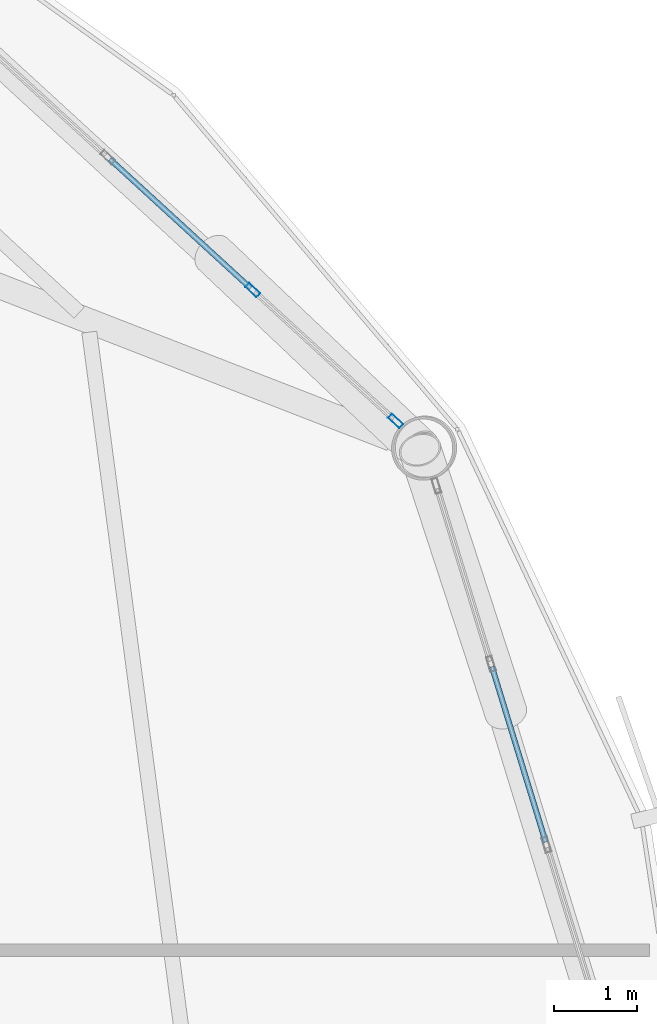
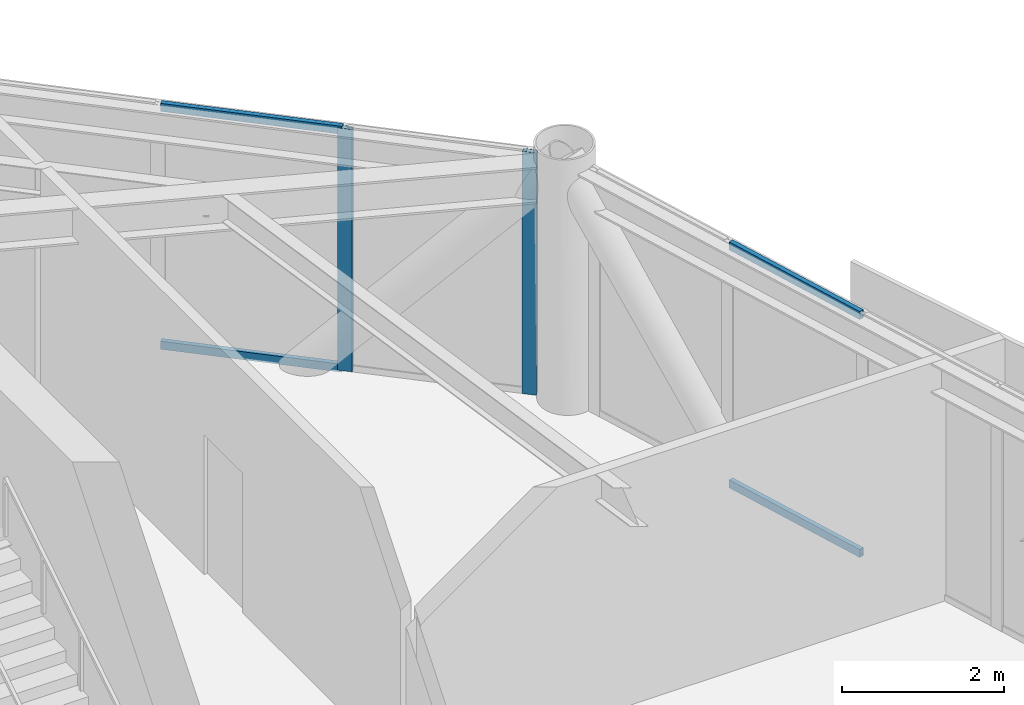
# One storey, part 16 of 27: 6 members, 2 elements without a shape of their own.
"""IFC4 building model written with IfcOpenShell, lengths in metres."""

import ifcopenshell
import ifcopenshell.guid

model = None  # the IFC model being written
_history = None  # IfcOwnerHistory: only IFC2X3 demands one
_inside = {}  # id of a spatial element -> (the spatial element, [elements in it])
_under = {}  # id of a project, library or spatial element -> (it, [spatial elements below it])
_declared = {}  # id of a project -> (the project, [libraries it declares])
_typed = {}  # id of a type object -> (the type object, [elements of that type])
_made_of = {}  # id of a material, layer set ... -> (it, [elements and type objects made of it])


def new_model(schema):
    """Start an empty IFC model of exactly this schema.

    Asked for "IFC4X3", IfcOpenShell would pick the latest addendum, in which some entities
    have other attributes; the version numbers below select the first issue.
    IFC2X3 requires an IfcOwnerHistory on every rooted entity: one is made here for all.
    """
    global model, _history
    if schema == "IFC4X3":
        model = ifcopenshell.file(schema_version=(4, 3, 0, 0))
    else:
        model = ifcopenshell.file(schema=schema)
    _inside.clear()
    _under.clear()
    _declared.clear()
    _typed.clear()
    _made_of.clear()
    _history = None
    if model.schema == "IFC2X3":
        org = make("IfcOrganization", Name="unknown")
        user = make(
            "IfcPersonAndOrganization",
            ThePerson=make("IfcPerson", FamilyName="unknown"),
            TheOrganization=org,
        )
        app = make(
            "IfcApplication",
            ApplicationDeveloper=org,
            Version="unknown",
            ApplicationFullName="unknown",
            ApplicationIdentifier="unknown",
        )
        _history = make(
            "IfcOwnerHistory",
            OwningUser=user,
            OwningApplication=app,
            ChangeAction="ADDED",
            CreationDate=0,
        )
    return model


def make(cls, **values):
    """One entity of the class cls with the attributes given. An attribute that is None is left unset."""
    return model.create_entity(
        cls, **{name: value for name, value in values.items() if value is not None}
    )


def rooted(cls, **values):
    """An entity with a GlobalId (a new one), such as an element, a storey or a relation."""
    return make(cls, GlobalId=ifcopenshell.guid.new(), OwnerHistory=_history, **values)


def si_unit(unit_type, name, prefix=None):
    """IfcSIUnit, for example si_unit("LENGTHUNIT", "METRE", prefix="MILLI")."""
    return make("IfcSIUnit", UnitType=unit_type, Prefix=prefix, Name=name)


def assignment(units):
    """IfcUnitAssignment: the units of a project."""
    return None if units is None else make("IfcUnitAssignment", Units=units)


def point(xyz):
    """IfcCartesianPoint."""
    return None if xyz is None else make("IfcCartesianPoint", Coordinates=xyz)


def direction(xyz):
    """IfcDirection."""
    return None if xyz is None else make("IfcDirection", DirectionRatios=xyz)


def frame(location, z_axis=None, x_axis=None):
    """IfcAxis2Placement3D, a coordinate frame: its origin and axes. An axis left out is left unset."""
    return make(
        "IfcAxis2Placement3D",
        Location=point(location),
        Axis=direction(z_axis),
        RefDirection=direction(x_axis),
    )


def frame_2d(location, x_axis=None):
    """IfcAxis2Placement2D, a coordinate frame in the plane: its origin and x axis."""
    return make(
        "IfcAxis2Placement2D", Location=point(location), RefDirection=direction(x_axis)
    )


def origin():
    """The frame at (0, 0, 0) with its axes left unset."""
    return frame((0.0, 0.0, 0.0))


def origin_2d():
    """The frame at (0, 0) in the plane with its x axis left unset."""
    return frame_2d((0.0, 0.0))


def place(relative_to, where):
    """IfcLocalPlacement: puts the frame where relative to a parent placement (None: the world)."""
    return make(
        "IfcLocalPlacement", PlacementRelTo=relative_to, RelativePlacement=where
    )


def context(
    kind, dimensions, precision=None, world=None, true_north=None, identifier=None
):
    """IfcGeometricRepresentationContext, for example the 3D "Model" context."""
    return make(
        "IfcGeometricRepresentationContext",
        ContextIdentifier=identifier,
        ContextType=kind,
        CoordinateSpaceDimension=dimensions,
        Precision=precision,
        WorldCoordinateSystem=world,
        TrueNorth=true_north,
    )


def subcontext(parent, identifier, kind, view, scale=None):
    """IfcGeometricRepresentationSubContext, for example "Body" below "Model"."""
    return make(
        "IfcGeometricRepresentationSubContext",
        ContextIdentifier=identifier,
        ContextType=kind,
        ParentContext=parent,
        TargetScale=scale,
        TargetView=view,
    )


def project(units=None, contexts=None):
    """IfcProject with its units and contexts."""
    return rooted(
        "IfcProject",
        Name="project",
        RepresentationContexts=contexts,
        UnitsInContext=assignment(units),
    )


def spatial(cls, under=None, at=None, **own):
    """A site, building, storey or space (cls), placed at a placement, below another one or the project."""
    s = rooted(cls, ObjectPlacement=at, **own)
    if under is not None:
        _under.setdefault(under.id(), (under, []))[1].append(s)
    return s


def profile(cls, at=None, kind="AREA", **sizes):
    """A parametric profile (cls). Its sizes go by their IFC names, for example OverallWidth=200.0."""
    return make(cls, ProfileType=kind, Position=at, **sizes)


def hollow_rectangle(**sizes):
    """IfcRectangleHollowProfileDef."""
    return profile("IfcRectangleHollowProfileDef", **sizes)


def extrude(swept, where, along, depth):
    """IfcExtrudedAreaSolid: the profile swept, set in the frame where, extruded along a direction by depth."""
    return make(
        "IfcExtrudedAreaSolid",
        SweptArea=swept,
        Position=where,
        ExtrudedDirection=direction(along),
        Depth=depth,
    )


def shape(context_of_items, identifier, shape_type, items):
    """IfcShapeRepresentation: the items that make up one representation, for example the "Body"."""
    return make(
        "IfcShapeRepresentation",
        ContextOfItems=context_of_items,
        RepresentationIdentifier=identifier,
        RepresentationType=shape_type,
        Items=items,
    )


def material(Name=None, Category=None):
    """IfcMaterial."""
    return make("IfcMaterial", Name=Name, Category=Category)


def layer(
    of_material, thickness, ventilated=None, Name=None, Category=None, Priority=None
):
    """IfcMaterialLayer: one layer of a wall or slab, of a material (None: an air gap)."""
    return make(
        "IfcMaterialLayer",
        Material=of_material,
        LayerThickness=thickness,
        IsVentilated=ventilated,
        Name=Name,
        Category=Category,
        Priority=Priority,
    )


def layer_set(layers, Name=None):
    """IfcMaterialLayerSet."""
    return make("IfcMaterialLayerSet", MaterialLayers=layers, LayerSetName=Name)


def material_profile(
    of_material, cross_section, Name=None, Category=None, Priority=None
):
    """IfcMaterialProfile: a cross section and its material."""
    return make(
        "IfcMaterialProfile",
        Name=Name,
        Material=of_material,
        Profile=cross_section,
        Priority=Priority,
        Category=Category,
    )


def profile_set(profiles, Name=None, composite=None):
    """IfcMaterialProfileSet."""
    return make(
        "IfcMaterialProfileSet",
        Name=Name,
        MaterialProfiles=profiles,
        CompositeProfile=composite,
    )


def made_of(thing, what):
    """Note that an element or type object is made of a material, layer set ...; save() writes the relation."""
    if what is not None:
        _made_of.setdefault(what.id(), (what, []))[1].append(thing)
    return thing


def type_object(cls, material=None, **own):
    """A type object (cls), such as IfcWallType, which elements share."""
    return made_of(rooted(cls, **own), material)


def element(
    cls,
    number,
    at=None,
    inside=None,
    cuts=None,
    type_object=None,
    material=None,
    context=None,
    identifier="Body",
    shape_type=None,
    held_by="IfcProductDefinitionShape",
    body=None,
    shapes=None,
    **own,
):
    """One element of the class cls, such as IfcWall. Its Tag is "e" and its number.

    at: its placement. inside: the storey or other place that contains it. cuts: it is an
    opening in that element (IfcRelVoidsElement). A single representation is given by context,
    identifier, shape_type and body (its items); several are given by shapes. held_by: the class
    of the entity that holds the representations. save() writes the other relations.
    """
    e = rooted(cls, Tag="e%d" % number, ObjectPlacement=at, **own)
    if body is not None:
        shapes = [shape(context, identifier, shape_type, body)]
    if shapes is not None:
        e.Representation = make(held_by, Representations=shapes)
    if inside is not None:
        _inside.setdefault(inside.id(), (inside, []))[1].append(e)
    if cuts is not None:
        rooted(
            "IfcRelVoidsElement", RelatingBuildingElement=cuts, RelatedOpeningElement=e
        )
    if type_object is not None:
        _typed.setdefault(type_object.id(), (type_object, []))[1].append(e)
    return made_of(e, material)


def aggregate(whole, parts):
    """IfcRelAggregates: a whole, such as a stair, and the parts it consists of."""
    return rooted("IfcRelAggregates", RelatingObject=whole, RelatedObjects=parts)


def save(model, path):
    """Write the relations noted so far, then the file.

    IfcRelAggregates (storeys below a building ...), IfcRelContainedInSpatialStructure (elements
    in a storey), IfcRelDefinesByType, IfcRelAssociatesMaterial and IfcRelDeclares: one each for
    every whole, place, type object, material and project.
    """
    for whole, parts in _under.values():
        aggregate(whole, parts)
    for where, things in _inside.values():
        rooted(
            "IfcRelContainedInSpatialStructure",
            RelatedElements=things,
            RelatingStructure=where,
        )
    for kind, things in _typed.values():
        rooted("IfcRelDefinesByType", RelatedObjects=things, RelatingType=kind)
    for what, things in _made_of.values():
        rooted("IfcRelAssociatesMaterial", RelatedObjects=things, RelatingMaterial=what)
    for by, libraries in _declared.values():
        rooted("IfcRelDeclares", RelatingContext=by, RelatedDefinitions=libraries)
    model.write(path)


model = new_model("IFC4")

# Units and contexts
model_context = context("Model", 3, precision=1e-05, world=origin(), true_north=direction((0.0, 1.0)))
body_context = subcontext(model_context, "Body", "Model", "MODEL_VIEW")
ifc_project = project(units=[si_unit("LENGTHUNIT", "METRE"), si_unit("AREAUNIT", "SQUARE_METRE"), si_unit("VOLUMEUNIT", "CUBIC_METRE"), si_unit("PLANEANGLEUNIT", "RADIAN"), si_unit("MASSUNIT", "GRAM", prefix="KILO")], contexts=[model_context])

# Site, building, storey
site_placement = place(None, origin())
site = spatial("IfcSite", under=ifc_project, at=site_placement, CompositionType="ELEMENT")
building_placement = place(site_placement, origin())
building = spatial("IfcBuilding", under=site, at=building_placement, Name="Varnakorn Sky Granary", CompositionType="ELEMENT")
storey_placement = place(building_placement, frame((0.0, 0.0, 142.199951171875)))
storey = spatial("IfcBuildingStorey", under=building, at=storey_placement, Name="L35", CompositionType="ELEMENT", Elevation=142.199951171875)

# Curtain wall, members
ifc_material = material(Name="Anodised Bronze Aluminium Alloy 6063-T6", Category="aluminium")
ifc_layer = layer(ifc_material, 0.179931640625, Name="Anodised Bronze Aluminium Alloy 6063-T6")
ifc_layer_set = layer_set([ifc_layer], Name="Anodised Bronze Aluminium Alloy 6063-T6")
curtain_wall_type = type_object("IfcCurtainWallType", Name="CW-FRM-2", PredefinedType="USERDEFINED", material=ifc_layer_set)
curtain_wall_1_placement = place(storey_placement, origin())
curtain_wall_1 = element("IfcCurtainWall", 1, at=curtain_wall_1_placement, inside=storey, type_object=curtain_wall_type, Name="Unitised Curtain Wall CW4 CW-L35-B02", ObjectType="CURTAIN WALL", PredefinedType="USERDEFINED")
ifc_material_profile_1 = material_profile(ifc_material, hollow_rectangle(XDim=0.070068359375, YDim=0.18505859375, WallThickness=0.00390625, at=origin_2d()), Name="ALU MULL 70x185")
ifc_profile_set_1 = profile_set([ifc_material_profile_1], Name="Anodised Bronze Aluminium Alloy 6063-T6")
member_type_1 = type_object("IfcMemberType", Name="CW-FRM-2-MULL", PredefinedType="MULLION", material=ifc_profile_set_1)
member_1_placement = place(storey_placement, frame((14.43359375, 11.416015625, 0.0), z_axis=(0.0, 0.0, 1.0), x_axis=(0.675684798243, 0.737190649305, 0.0)))
member_1 = element("IfcMember", 2, at=member_1_placement, type_object=member_type_1, Name="CW4 mullion 4", PredefinedType="MULLION", context=body_context, shape_type="SweptSolid", body=[
    extrude(hollow_rectangle(XDim=0.070068359375, YDim=0.18505859375, WallThickness=0.00390625, at=origin_2d()), origin(), (0.0, 0.0, 1.0), 3.64013671875),
])
member_2_placement = place(storey_placement, frame((16.146728515625, 9.845703125, 0.0), z_axis=(0.0, 0.0, 1.0), x_axis=(0.675684798243, 0.737190649305, 0.0)))
member_2 = element("IfcMember", 3, at=member_2_placement, type_object=member_type_1, Name="CW4 mullion 5", PredefinedType="MULLION", context=body_context, shape_type="SweptSolid", body=[
    extrude(hollow_rectangle(XDim=0.070068359375, YDim=0.18505859375, WallThickness=0.00390625, at=origin_2d()), origin(), (0.0, 0.0, 1.0), 3.64013671875),
])

curtain_wall_2_placement = place(storey_placement, origin())
curtain_wall_2 = element("IfcCurtainWall", 4, at=curtain_wall_2_placement, inside=storey, type_object=curtain_wall_type, Name="Unitised Curtain Wall CW4 CW-L35-B01", ObjectType="CURTAIN WALL", PredefinedType="USERDEFINED")
ifc_material_profile_2 = material_profile(ifc_material, hollow_rectangle(XDim=0.06494140625, YDim=0.1201171875, WallThickness=0.00341796875, at=origin_2d()), Name="ALU TRAN 65x120")
ifc_profile_set_2 = profile_set([ifc_material_profile_2], Name="Anodised Bronze Aluminium Alloy 6063-T6")
member_type_2 = type_object("IfcMemberType", Name="CW-FRM-2-TRAN", PredefinedType="USERDEFINED", material=ifc_profile_set_2)
member_3_placement = place(storey_placement, frame((17.302490234375, 6.898681640625, 0.032470703125), z_axis=(0.292993829008, -0.956114332161, 0.0), x_axis=(0.956114332161, 0.292993829008, 0.0)))
member_3 = element("IfcMember", 5, at=member_3_placement, type_object=member_type_2, Name="CW4 transom 2.1", ObjectType="TRANSOM", PredefinedType="USERDEFINED", context=body_context, shape_type="SweptSolid", body=[
    extrude(hollow_rectangle(XDim=0.06494140625, YDim=0.1201171875, WallThickness=0.00341796875, at=origin_2d()), origin(), (0.0, 0.0, 1.0), 2.19970703125),
])
member_4_placement = place(storey_placement, frame((17.302490234375, 6.898681640625, 3.607666015625), z_axis=(0.292993829008, -0.956114332161, 0.0), x_axis=(0.956114332161, 0.292993829008, 0.0)))
member_4 = element("IfcMember", 6, at=member_4_placement, type_object=member_type_2, Name="CW4 transom 2.2", ObjectType="TRANSOM", PredefinedType="USERDEFINED", context=body_context, shape_type="SweptSolid", body=[
    extrude(hollow_rectangle(XDim=0.06494140625, YDim=0.1201171875, WallThickness=0.00341796875, at=origin_2d()), origin(), (0.0, 0.0, 1.0), 2.19970703125),
])
aggregate(curtain_wall_2, [member_3, member_4])

# Member
member_5_placement = place(storey_placement, frame((12.72021484375, 12.986328125, 0.032470703125), z_axis=(0.737207264756, -0.675666669883, 0.0), x_axis=(0.675666669883, 0.737207264756, 0.0)))
member_5 = element("IfcMember", 7, at=member_5_placement, type_object=member_type_2, Name="CW4 transom 3.1", ObjectType="TRANSOM", PredefinedType="USERDEFINED", context=body_context, shape_type="SweptSolid", body=[
    extrude(hollow_rectangle(XDim=0.06494140625, YDim=0.1201171875, WallThickness=0.00341796875, at=origin_2d()), origin(), (0.0, 0.0, 1.0), 2.2890625),
])

member_6_placement = place(storey_placement, frame((12.72021484375, 12.986328125, 3.607666015625), z_axis=(0.737207264756, -0.675666669883, 0.0), x_axis=(0.675666669883, 0.737207264756, 0.0)))
member_6 = element("IfcMember", 8, at=member_6_placement, type_object=member_type_2, Name="CW4 transom 3.2", ObjectType="TRANSOM", PredefinedType="USERDEFINED", context=body_context, shape_type="SweptSolid", body=[
    extrude(hollow_rectangle(XDim=0.06494140625, YDim=0.1201171875, WallThickness=0.00341796875, at=origin_2d()), origin(), (0.0, 0.0, 1.0), 2.2890625),
])

aggregate(curtain_wall_1, [member_1, member_2, member_5, member_6])

save(model, "model.ifc")
